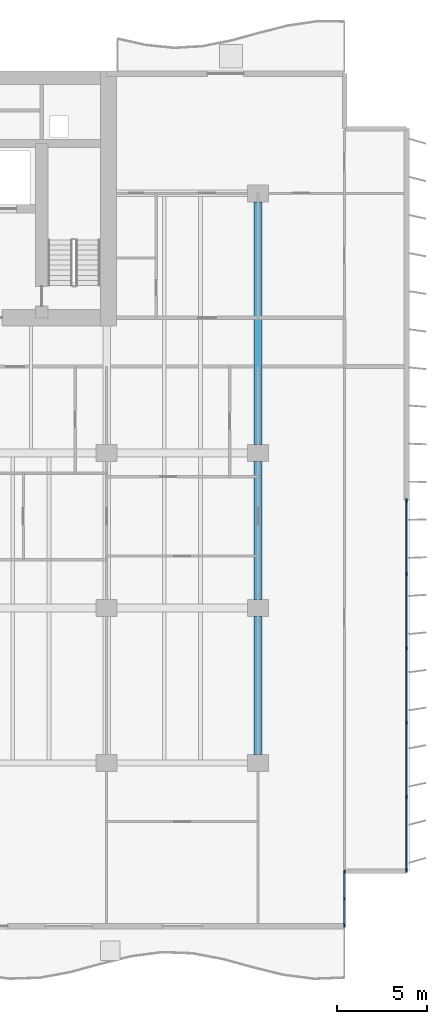
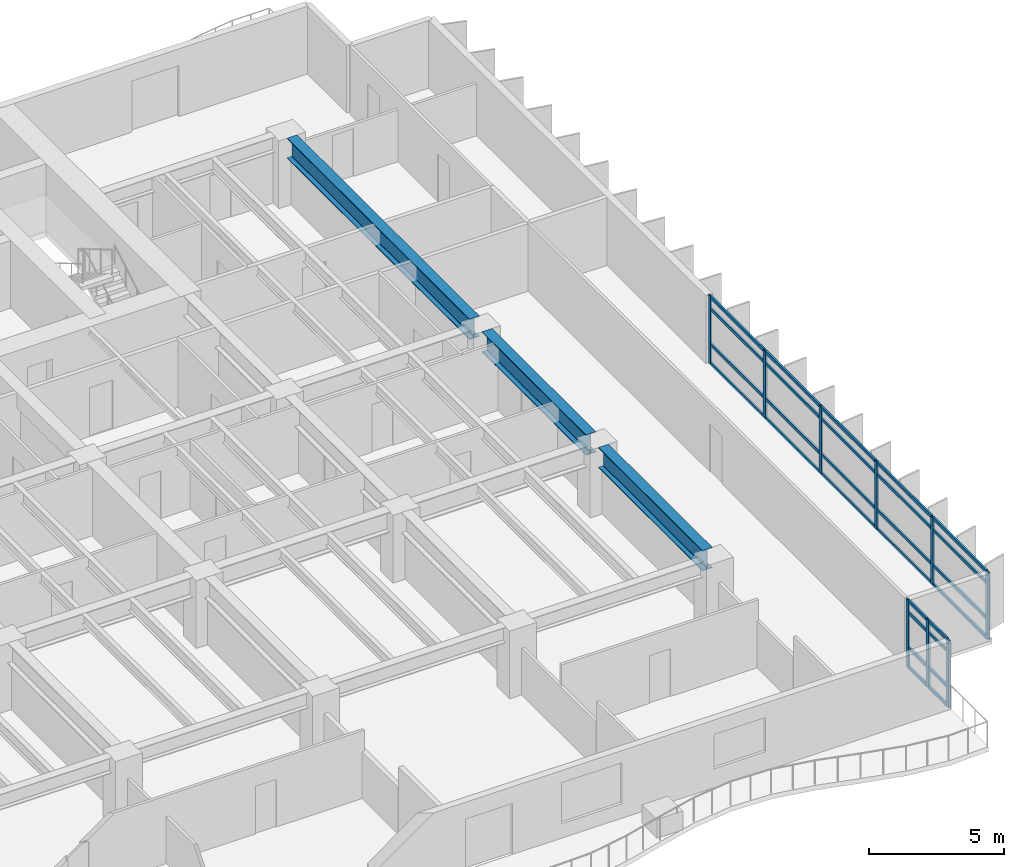
# One storey, part 4 of 16: 37 members, 3 beams, 2 elements without a shape of their own.
"""IFC4 building model written with IfcOpenShell, lengths in metres."""

from ifc_helpers import new_model, si_unit, direction, frame, origin, origin_2d, place, context, subcontext, project, spatial, rectangle, i_section, extrude, material, layer, layer_set, material_profile, profile_set, type_object, element, aggregate, save


model = new_model("IFC4")

# Units and contexts
model_context = context("Model", 3, precision=1e-05, world=origin(), true_north=direction((0.0, 1.0)))
body_context = subcontext(model_context, "Body", "Model", "MODEL_VIEW")
ifc_project = project(units=[si_unit("LENGTHUNIT", "METRE"), si_unit("AREAUNIT", "SQUARE_METRE"), si_unit("VOLUMEUNIT", "CUBIC_METRE"), si_unit("PLANEANGLEUNIT", "RADIAN"), si_unit("MASSUNIT", "GRAM", prefix="KILO")], contexts=[model_context])

# Site, building, storey
site_placement = place(None, origin())
site = spatial("IfcSite", under=ifc_project, at=site_placement, CompositionType="ELEMENT")
building_placement = place(site_placement, origin())
building = spatial("IfcBuilding", under=site, at=building_placement, Name="Caelmar Bay Residences", CompositionType="ELEMENT")
storey_placement = place(building_placement, frame((0.0, 0.0, 72.89990234375)))
storey = spatial("IfcBuildingStorey", under=building, at=storey_placement, Name="L19", CompositionType="ELEMENT", Elevation=72.89990234375)

# Beams
ifc_material_1 = material(Name="Steel ASTM A992 Grade 50", Category="steel")
ifc_material_profile_1 = material_profile(ifc_material_1, i_section(OverallWidth=0.422119140625, OverallDepth=0.925048828125, WebThickness=0.021240234375, FlangeThickness=0.03662109375, FilletRadius=0.020263671875, at=origin_2d()), Name="W36X262")
ifc_profile_set_1 = profile_set([ifc_material_profile_1], Name="Steel ASTM A992 Grade 50")
beam_type = type_object("IfcBeamType", Name="BM-GRD-W36X262", PredefinedType="BEAM", material=ifc_profile_set_1)
beam_1_placement = place(storey_placement, frame((67.89990234375, 12.6650390625, 2.587646484375), z_axis=(0.0, 1.0, 0.0), x_axis=(-1.0, 0.0, 0.0)))
element("IfcBeam", 1, at=beam_1_placement, inside=storey, type_object=beam_type, Name="L19 North-South Girder X=67.90 (12.2-20.8)", PredefinedType="BEAM", context=body_context, shape_type="SweptSolid", body=[
    extrude(i_section(OverallWidth=0.422119140625, OverallDepth=0.925048828125, WebThickness=0.021240234375, FlangeThickness=0.03662109375, FilletRadius=0.020263671875, at=origin_2d()), origin(), (0.0, 0.0, 1.0), 7.669921875),
])
beam_2_placement = place(storey_placement, frame((67.89990234375, 21.264892578125, 2.587646484375), z_axis=(0.0, 1.0, 0.0), x_axis=(-1.0, 0.0, 0.0)))
element("IfcBeam", 2, at=beam_2_placement, inside=storey, type_object=beam_type, Name="L19 North-South Girder X=67.90 (20.8-29.4)", PredefinedType="BEAM", context=body_context, shape_type="SweptSolid", body=[
    extrude(i_section(OverallWidth=0.422119140625, OverallDepth=0.925048828125, WebThickness=0.021240234375, FlangeThickness=0.03662109375, FilletRadius=0.020263671875, at=origin_2d()), origin(), (0.0, 0.0, 1.0), 7.670166015625),
])
beam_3_placement = place(storey_placement, frame((67.89990234375, 29.864990234375, 2.587646484375), z_axis=(0.0, 1.0, 0.0), x_axis=(-1.0, 0.0, 0.0)))
element("IfcBeam", 3, at=beam_3_placement, inside=storey, type_object=beam_type, Name="L19 North-South Girder X=67.90 (29.4-43.8)", PredefinedType="BEAM", context=body_context, shape_type="SweptSolid", body=[
    extrude(i_section(OverallWidth=0.422119140625, OverallDepth=0.925048828125, WebThickness=0.021240234375, FlangeThickness=0.03662109375, FilletRadius=0.020263671875, at=origin_2d()), origin(), (0.0, 0.0, 1.0), 13.469970703125),
])

# Curtain wall, members
ifc_material_2 = material(Name="Anodised bronze aluminium 6063-T6 and laminated glass", Category="aluminium")
ifc_layer_1 = layer(ifc_material_2, 0.179931640625)
ifc_layer_set_1 = layer_set([ifc_layer_1], Name="Anodised bronze aluminium 6063-T6 and laminated glass")
curtain_wall_type_1 = type_object("IfcCurtainWallType", Name="CW6-NTC", PredefinedType="NOTDEFINED", material=ifc_layer_set_1)
curtain_wall_1_placement = place(storey_placement, origin())
curtain_wall_1 = element("IfcCurtainWall", 4, at=curtain_wall_1_placement, inside=storey, type_object=curtain_wall_type_1, Name="CW6 curtain wall L19", PredefinedType="NOTDEFINED")
ifc_material_3 = material(Name="Anodised bronze aluminium 6063-T6", Category="aluminium")
ifc_material_profile_2 = material_profile(ifc_material_3, rectangle(XDim=0.080078125, YDim=0.179931640625, at=origin_2d()), Name="CWM-80X180")
ifc_profile_set_2 = profile_set([ifc_material_profile_2], Name="Anodised bronze aluminium 6063-T6")
member_type_1 = type_object("IfcMemberType", Name="CWM-180", PredefinedType="MULLION", material=ifc_profile_set_2)
member_1_placement = place(storey_placement, frame((72.699951171875, 3.18994140625, 0.0), z_axis=(0.0, 0.0, 1.0), x_axis=(-1.0, 0.0, 0.0)))
member_1 = element("IfcMember", 5, at=member_1_placement, type_object=member_type_1, Name="CW6 mullion 1", PredefinedType="MULLION", context=body_context, shape_type="SweptSolid", body=[
    extrude(rectangle(XDim=0.080078125, YDim=0.179931640625, at=origin_2d()), origin(), (0.0, 0.0, 1.0), 3.050048828125),
])
member_2_placement = place(storey_placement, frame((72.699951171875, 4.675048828125, 0.0), z_axis=(0.0, 0.0, 1.0), x_axis=(-1.0, 0.0, 0.0)))
member_2 = element("IfcMember", 6, at=member_2_placement, type_object=member_type_1, Name="CW6 mullion 2", PredefinedType="MULLION", context=body_context, shape_type="SweptSolid", body=[
    extrude(rectangle(XDim=0.080078125, YDim=0.179931640625, at=origin_2d()), origin(), (0.0, 0.0, 1.0), 3.050048828125),
])
member_3_placement = place(storey_placement, frame((72.699951171875, 6.159912109375, 0.0), z_axis=(0.0, 0.0, 1.0), x_axis=(-1.0, 0.0, 0.0)))
member_3 = element("IfcMember", 7, at=member_3_placement, type_object=member_type_1, Name="CW6 mullion 3", PredefinedType="MULLION", context=body_context, shape_type="SweptSolid", body=[
    extrude(rectangle(XDim=0.080078125, YDim=0.179931640625, at=origin_2d()), origin(), (0.0, 0.0, 1.0), 3.050048828125),
])

ifc_layer_2 = layer(ifc_material_2, 0.179931640625)
ifc_layer_set_2 = layer_set([ifc_layer_2], Name="Anodised bronze aluminium 6063-T6 and laminated glass")
curtain_wall_type_2 = type_object("IfcCurtainWallType", Name="CW2-Z1", PredefinedType="NOTDEFINED", material=ifc_layer_set_2)
curtain_wall_2_placement = place(storey_placement, origin())
curtain_wall_2 = element("IfcCurtainWall", 8, at=curtain_wall_2_placement, inside=storey, type_object=curtain_wall_type_2, Name="CW2 curtain wall L19", PredefinedType="NOTDEFINED")
member_4_placement = place(storey_placement, frame((76.14990234375, 26.760009765625, 0.0), z_axis=(0.0, 0.0, 1.0), x_axis=(1.0, 0.0, 0.0)))
member_4 = element("IfcMember", 9, at=member_4_placement, type_object=member_type_1, Name="CW2 mullion 1", PredefinedType="MULLION", context=body_context, shape_type="SweptSolid", body=[
    extrude(rectangle(XDim=0.080078125, YDim=0.179931640625, at=origin_2d()), origin(), (0.0, 0.0, 1.0), 3.050048828125),
])
member_5_placement = place(storey_placement, frame((76.14990234375, 22.679931640625, 0.0), z_axis=(0.0, 0.0, 1.0), x_axis=(1.0, 0.0, 0.0)))
member_5 = element("IfcMember", 10, at=member_5_placement, type_object=member_type_1, Name="CW2 mullion 2", PredefinedType="MULLION", context=body_context, shape_type="SweptSolid", body=[
    extrude(rectangle(XDim=0.080078125, YDim=0.179931640625, at=origin_2d()), origin(), (0.0, 0.0, 1.0), 3.050048828125),
])
member_6_placement = place(storey_placement, frame((76.14990234375, 18.56005859375, 0.0), z_axis=(0.0, 0.0, 1.0), x_axis=(1.0, 0.0, 0.0)))
member_6 = element("IfcMember", 11, at=member_6_placement, type_object=member_type_1, Name="CW2 mullion 3", PredefinedType="MULLION", context=body_context, shape_type="SweptSolid", body=[
    extrude(rectangle(XDim=0.080078125, YDim=0.179931640625, at=origin_2d()), origin(), (0.0, 0.0, 1.0), 3.050048828125),
])
member_7_placement = place(storey_placement, frame((76.14990234375, 14.43994140625, 0.0), z_axis=(0.0, 0.0, 1.0), x_axis=(1.0, 0.0, 0.0)))
member_7 = element("IfcMember", 12, at=member_7_placement, type_object=member_type_1, Name="CW2 mullion 4", PredefinedType="MULLION", context=body_context, shape_type="SweptSolid", body=[
    extrude(rectangle(XDim=0.080078125, YDim=0.179931640625, at=origin_2d()), origin(), (0.0, 0.0, 1.0), 3.050048828125),
])
member_8_placement = place(storey_placement, frame((76.14990234375, 10.320068359375, 0.0), z_axis=(0.0, 0.0, 1.0), x_axis=(1.0, 0.0, 0.0)))
member_8 = element("IfcMember", 13, at=member_8_placement, type_object=member_type_1, Name="CW2 mullion 5", PredefinedType="MULLION", context=body_context, shape_type="SweptSolid", body=[
    extrude(rectangle(XDim=0.080078125, YDim=0.179931640625, at=origin_2d()), origin(), (0.0, 0.0, 1.0), 3.050048828125),
])
member_9_placement = place(storey_placement, frame((76.14990234375, 6.239990234375, 0.0), z_axis=(0.0, 0.0, 1.0), x_axis=(1.0, 0.0, 0.0)))
member_9 = element("IfcMember", 14, at=member_9_placement, type_object=member_type_1, Name="CW2 mullion 6", PredefinedType="MULLION", context=body_context, shape_type="SweptSolid", body=[
    extrude(rectangle(XDim=0.080078125, YDim=0.179931640625, at=origin_2d()), origin(), (0.0, 0.0, 1.0), 3.050048828125),
])

# Member
ifc_material_profile_3 = material_profile(ifc_material_3, rectangle(XDim=0.080078125, YDim=0.139892578125, at=origin_2d()), Name="CWT-80X140")
ifc_profile_set_3 = profile_set([ifc_material_profile_3], Name="Anodised bronze aluminium 6063-T6")
member_type_2 = type_object("IfcMemberType", Name="CWT-140", PredefinedType="NOTDEFINED", material=ifc_profile_set_3)
member_10_placement = place(storey_placement, frame((72.699951171875, 3.22998046875, 0.0400390625), z_axis=(0.0, 1.0, 0.0), x_axis=(-1.0, 0.0, 0.0)))
member_10 = element("IfcMember", 15, at=member_10_placement, type_object=member_type_2, Name="CW6 transom 1.1", ObjectType="TRANSOM", PredefinedType="USERDEFINED", context=body_context, shape_type="SweptSolid", body=[
    extrude(rectangle(XDim=0.080078125, YDim=0.139892578125, at=origin_2d()), origin(), (0.0, 0.0, 1.0), 1.405029296875),
])

member_11_placement = place(storey_placement, frame((72.699951171875, 3.22998046875, 0.900146484375), z_axis=(0.0, 1.0, 0.0), x_axis=(-1.0, 0.0, 0.0)))
member_11 = element("IfcMember", 16, at=member_11_placement, type_object=member_type_2, Name="CW6 transom 1.2", ObjectType="TRANSOM", PredefinedType="USERDEFINED", context=body_context, shape_type="SweptSolid", body=[
    extrude(rectangle(XDim=0.080078125, YDim=0.139892578125, at=origin_2d()), origin(), (0.0, 0.0, 1.0), 1.405029296875),
])

member_12_placement = place(storey_placement, frame((72.699951171875, 3.22998046875, 2.5), z_axis=(0.0, 1.0, 0.0), x_axis=(-1.0, 0.0, 0.0)))
member_12 = element("IfcMember", 17, at=member_12_placement, type_object=member_type_2, Name="CW6 transom 1.3", ObjectType="TRANSOM", PredefinedType="USERDEFINED", context=body_context, shape_type="SweptSolid", body=[
    extrude(rectangle(XDim=0.080078125, YDim=0.139892578125, at=origin_2d()), origin(), (0.0, 0.0, 1.0), 1.405029296875),
])

member_13_placement = place(storey_placement, frame((72.699951171875, 3.22998046875, 3.010009765625), z_axis=(0.0, 1.0, 0.0), x_axis=(-1.0, 0.0, 0.0)))
member_13 = element("IfcMember", 18, at=member_13_placement, type_object=member_type_2, Name="CW6 transom 1.4", ObjectType="TRANSOM", PredefinedType="USERDEFINED", context=body_context, shape_type="SweptSolid", body=[
    extrude(rectangle(XDim=0.080078125, YDim=0.139892578125, at=origin_2d()), origin(), (0.0, 0.0, 1.0), 1.405029296875),
])

member_14_placement = place(storey_placement, frame((72.699951171875, 4.715087890625, 0.0400390625), z_axis=(0.0, 1.0, 0.0), x_axis=(-1.0, 0.0, 0.0)))
member_14 = element("IfcMember", 19, at=member_14_placement, type_object=member_type_2, Name="CW6 transom 2.1", ObjectType="TRANSOM", PredefinedType="USERDEFINED", context=body_context, shape_type="SweptSolid", body=[
    extrude(rectangle(XDim=0.080078125, YDim=0.139892578125, at=origin_2d()), origin(), (0.0, 0.0, 1.0), 1.405029296875),
])

member_15_placement = place(storey_placement, frame((72.699951171875, 4.715087890625, 0.900146484375), z_axis=(0.0, 1.0, 0.0), x_axis=(-1.0, 0.0, 0.0)))
member_15 = element("IfcMember", 20, at=member_15_placement, type_object=member_type_2, Name="CW6 transom 2.2", ObjectType="TRANSOM", PredefinedType="USERDEFINED", context=body_context, shape_type="SweptSolid", body=[
    extrude(rectangle(XDim=0.080078125, YDim=0.139892578125, at=origin_2d()), origin(), (0.0, 0.0, 1.0), 1.405029296875),
])

member_16_placement = place(storey_placement, frame((72.699951171875, 4.715087890625, 2.5), z_axis=(0.0, 1.0, 0.0), x_axis=(-1.0, 0.0, 0.0)))
member_16 = element("IfcMember", 21, at=member_16_placement, type_object=member_type_2, Name="CW6 transom 2.3", ObjectType="TRANSOM", PredefinedType="USERDEFINED", context=body_context, shape_type="SweptSolid", body=[
    extrude(rectangle(XDim=0.080078125, YDim=0.139892578125, at=origin_2d()), origin(), (0.0, 0.0, 1.0), 1.405029296875),
])

member_17_placement = place(storey_placement, frame((72.699951171875, 4.715087890625, 3.010009765625), z_axis=(0.0, 1.0, 0.0), x_axis=(-1.0, 0.0, 0.0)))
member_17 = element("IfcMember", 22, at=member_17_placement, type_object=member_type_2, Name="CW6 transom 2.4", ObjectType="TRANSOM", PredefinedType="USERDEFINED", context=body_context, shape_type="SweptSolid", body=[
    extrude(rectangle(XDim=0.080078125, YDim=0.139892578125, at=origin_2d()), origin(), (0.0, 0.0, 1.0), 1.405029296875),
])

aggregate(curtain_wall_1, [member_1, member_2, member_3, member_10, member_11, member_12, member_13, member_14, member_15, member_16, member_17])

member_18_placement = place(storey_placement, frame((76.14990234375, 26.719970703125, 0.0400390625), z_axis=(0.0, -1.0, 0.0), x_axis=(1.0, 0.0, 0.0)))
member_18 = element("IfcMember", 23, at=member_18_placement, type_object=member_type_2, Name="CW2 transom 1.1", ObjectType="TRANSOM", PredefinedType="USERDEFINED", context=body_context, shape_type="SweptSolid", body=[
    extrude(rectangle(XDim=0.080078125, YDim=0.139892578125, at=origin_2d()), origin(), (0.0, 0.0, 1.0), 4.0),
])

member_19_placement = place(storey_placement, frame((76.14990234375, 26.719970703125, 0.900146484375), z_axis=(0.0, -1.0, 0.0), x_axis=(1.0, 0.0, 0.0)))
member_19 = element("IfcMember", 24, at=member_19_placement, type_object=member_type_2, Name="CW2 transom 1.2", ObjectType="TRANSOM", PredefinedType="USERDEFINED", context=body_context, shape_type="SweptSolid", body=[
    extrude(rectangle(XDim=0.080078125, YDim=0.139892578125, at=origin_2d()), origin(), (0.0, 0.0, 1.0), 4.0),
])

member_20_placement = place(storey_placement, frame((76.14990234375, 26.719970703125, 2.5), z_axis=(0.0, -1.0, 0.0), x_axis=(1.0, 0.0, 0.0)))
member_20 = element("IfcMember", 25, at=member_20_placement, type_object=member_type_2, Name="CW2 transom 1.3", ObjectType="TRANSOM", PredefinedType="USERDEFINED", context=body_context, shape_type="SweptSolid", body=[
    extrude(rectangle(XDim=0.080078125, YDim=0.139892578125, at=origin_2d()), origin(), (0.0, 0.0, 1.0), 4.0),
])

member_21_placement = place(storey_placement, frame((76.14990234375, 26.719970703125, 3.010009765625), z_axis=(0.0, -1.0, 0.0), x_axis=(1.0, 0.0, 0.0)))
member_21 = element("IfcMember", 26, at=member_21_placement, type_object=member_type_2, Name="CW2 transom 1.4", ObjectType="TRANSOM", PredefinedType="USERDEFINED", context=body_context, shape_type="SweptSolid", body=[
    extrude(rectangle(XDim=0.080078125, YDim=0.139892578125, at=origin_2d()), origin(), (0.0, 0.0, 1.0), 4.0),
])

member_22_placement = place(storey_placement, frame((76.14990234375, 22.639892578125, 0.0400390625), z_axis=(0.0, -1.0, 0.0), x_axis=(1.0, 0.0, 0.0)))
member_22 = element("IfcMember", 27, at=member_22_placement, type_object=member_type_2, Name="CW2 transom 2.1", ObjectType="TRANSOM", PredefinedType="USERDEFINED", context=body_context, shape_type="SweptSolid", body=[
    extrude(rectangle(XDim=0.080078125, YDim=0.139892578125, at=origin_2d()), origin(), (0.0, 0.0, 1.0), 4.039794921875),
])

member_23_placement = place(storey_placement, frame((76.14990234375, 22.639892578125, 0.900146484375), z_axis=(0.0, -1.0, 0.0), x_axis=(1.0, 0.0, 0.0)))
member_23 = element("IfcMember", 28, at=member_23_placement, type_object=member_type_2, Name="CW2 transom 2.2", ObjectType="TRANSOM", PredefinedType="USERDEFINED", context=body_context, shape_type="SweptSolid", body=[
    extrude(rectangle(XDim=0.080078125, YDim=0.139892578125, at=origin_2d()), origin(), (0.0, 0.0, 1.0), 4.039794921875),
])

member_24_placement = place(storey_placement, frame((76.14990234375, 22.639892578125, 2.5), z_axis=(0.0, -1.0, 0.0), x_axis=(1.0, 0.0, 0.0)))
member_24 = element("IfcMember", 29, at=member_24_placement, type_object=member_type_2, Name="CW2 transom 2.3", ObjectType="TRANSOM", PredefinedType="USERDEFINED", context=body_context, shape_type="SweptSolid", body=[
    extrude(rectangle(XDim=0.080078125, YDim=0.139892578125, at=origin_2d()), origin(), (0.0, 0.0, 1.0), 4.039794921875),
])

member_25_placement = place(storey_placement, frame((76.14990234375, 22.639892578125, 3.010009765625), z_axis=(0.0, -1.0, 0.0), x_axis=(1.0, 0.0, 0.0)))
member_25 = element("IfcMember", 30, at=member_25_placement, type_object=member_type_2, Name="CW2 transom 2.4", ObjectType="TRANSOM", PredefinedType="USERDEFINED", context=body_context, shape_type="SweptSolid", body=[
    extrude(rectangle(XDim=0.080078125, YDim=0.139892578125, at=origin_2d()), origin(), (0.0, 0.0, 1.0), 4.039794921875),
])

member_26_placement = place(storey_placement, frame((76.14990234375, 18.52001953125, 0.0400390625), z_axis=(0.0, -1.0, 0.0), x_axis=(1.0, 0.0, 0.0)))
member_26 = element("IfcMember", 31, at=member_26_placement, type_object=member_type_2, Name="CW2 transom 3.1", ObjectType="TRANSOM", PredefinedType="USERDEFINED", context=body_context, shape_type="SweptSolid", body=[
    extrude(rectangle(XDim=0.080078125, YDim=0.139892578125, at=origin_2d()), origin(), (0.0, 0.0, 1.0), 4.0400390625),
])

member_27_placement = place(storey_placement, frame((76.14990234375, 18.52001953125, 0.900146484375), z_axis=(0.0, -1.0, 0.0), x_axis=(1.0, 0.0, 0.0)))
member_27 = element("IfcMember", 32, at=member_27_placement, type_object=member_type_2, Name="CW2 transom 3.2", ObjectType="TRANSOM", PredefinedType="USERDEFINED", context=body_context, shape_type="SweptSolid", body=[
    extrude(rectangle(XDim=0.080078125, YDim=0.139892578125, at=origin_2d()), origin(), (0.0, 0.0, 1.0), 4.0400390625),
])

member_28_placement = place(storey_placement, frame((76.14990234375, 18.52001953125, 2.5), z_axis=(0.0, -1.0, 0.0), x_axis=(1.0, 0.0, 0.0)))
member_28 = element("IfcMember", 33, at=member_28_placement, type_object=member_type_2, Name="CW2 transom 3.3", ObjectType="TRANSOM", PredefinedType="USERDEFINED", context=body_context, shape_type="SweptSolid", body=[
    extrude(rectangle(XDim=0.080078125, YDim=0.139892578125, at=origin_2d()), origin(), (0.0, 0.0, 1.0), 4.0400390625),
])

member_29_placement = place(storey_placement, frame((76.14990234375, 18.52001953125, 3.010009765625), z_axis=(0.0, -1.0, 0.0), x_axis=(1.0, 0.0, 0.0)))
member_29 = element("IfcMember", 34, at=member_29_placement, type_object=member_type_2, Name="CW2 transom 3.4", ObjectType="TRANSOM", PredefinedType="USERDEFINED", context=body_context, shape_type="SweptSolid", body=[
    extrude(rectangle(XDim=0.080078125, YDim=0.139892578125, at=origin_2d()), origin(), (0.0, 0.0, 1.0), 4.0400390625),
])

member_30_placement = place(storey_placement, frame((76.14990234375, 14.39990234375, 0.0400390625), z_axis=(0.0, -1.0, 0.0), x_axis=(1.0, 0.0, 0.0)))
member_30 = element("IfcMember", 35, at=member_30_placement, type_object=member_type_2, Name="CW2 transom 4.1", ObjectType="TRANSOM", PredefinedType="USERDEFINED", context=body_context, shape_type="SweptSolid", body=[
    extrude(rectangle(XDim=0.080078125, YDim=0.139892578125, at=origin_2d()), origin(), (0.0, 0.0, 1.0), 4.039794921875),
])

member_31_placement = place(storey_placement, frame((76.14990234375, 14.39990234375, 0.900146484375), z_axis=(0.0, -1.0, 0.0), x_axis=(1.0, 0.0, 0.0)))
member_31 = element("IfcMember", 36, at=member_31_placement, type_object=member_type_2, Name="CW2 transom 4.2", ObjectType="TRANSOM", PredefinedType="USERDEFINED", context=body_context, shape_type="SweptSolid", body=[
    extrude(rectangle(XDim=0.080078125, YDim=0.139892578125, at=origin_2d()), origin(), (0.0, 0.0, 1.0), 4.039794921875),
])

member_32_placement = place(storey_placement, frame((76.14990234375, 14.39990234375, 2.5), z_axis=(0.0, -1.0, 0.0), x_axis=(1.0, 0.0, 0.0)))
member_32 = element("IfcMember", 37, at=member_32_placement, type_object=member_type_2, Name="CW2 transom 4.3", ObjectType="TRANSOM", PredefinedType="USERDEFINED", context=body_context, shape_type="SweptSolid", body=[
    extrude(rectangle(XDim=0.080078125, YDim=0.139892578125, at=origin_2d()), origin(), (0.0, 0.0, 1.0), 4.039794921875),
])

member_33_placement = place(storey_placement, frame((76.14990234375, 14.39990234375, 3.010009765625), z_axis=(0.0, -1.0, 0.0), x_axis=(1.0, 0.0, 0.0)))
member_33 = element("IfcMember", 38, at=member_33_placement, type_object=member_type_2, Name="CW2 transom 4.4", ObjectType="TRANSOM", PredefinedType="USERDEFINED", context=body_context, shape_type="SweptSolid", body=[
    extrude(rectangle(XDim=0.080078125, YDim=0.139892578125, at=origin_2d()), origin(), (0.0, 0.0, 1.0), 4.039794921875),
])

member_34_placement = place(storey_placement, frame((76.14990234375, 10.280029296875, 0.0400390625), z_axis=(0.0, -1.0, 0.0), x_axis=(1.0, 0.0, 0.0)))
member_34 = element("IfcMember", 39, at=member_34_placement, type_object=member_type_2, Name="CW2 transom 5.1", ObjectType="TRANSOM", PredefinedType="USERDEFINED", context=body_context, shape_type="SweptSolid", body=[
    extrude(rectangle(XDim=0.080078125, YDim=0.139892578125, at=origin_2d()), origin(), (0.0, 0.0, 1.0), 4.0),
])

member_35_placement = place(storey_placement, frame((76.14990234375, 10.280029296875, 0.900146484375), z_axis=(0.0, -1.0, 0.0), x_axis=(1.0, 0.0, 0.0)))
member_35 = element("IfcMember", 40, at=member_35_placement, type_object=member_type_2, Name="CW2 transom 5.2", ObjectType="TRANSOM", PredefinedType="USERDEFINED", context=body_context, shape_type="SweptSolid", body=[
    extrude(rectangle(XDim=0.080078125, YDim=0.139892578125, at=origin_2d()), origin(), (0.0, 0.0, 1.0), 4.0),
])

member_36_placement = place(storey_placement, frame((76.14990234375, 10.280029296875, 2.5), z_axis=(0.0, -1.0, 0.0), x_axis=(1.0, 0.0, 0.0)))
member_36 = element("IfcMember", 41, at=member_36_placement, type_object=member_type_2, Name="CW2 transom 5.3", ObjectType="TRANSOM", PredefinedType="USERDEFINED", context=body_context, shape_type="SweptSolid", body=[
    extrude(rectangle(XDim=0.080078125, YDim=0.139892578125, at=origin_2d()), origin(), (0.0, 0.0, 1.0), 4.0),
])

member_37_placement = place(storey_placement, frame((76.14990234375, 10.280029296875, 3.010009765625), z_axis=(0.0, -1.0, 0.0), x_axis=(1.0, 0.0, 0.0)))
member_37 = element("IfcMember", 42, at=member_37_placement, type_object=member_type_2, Name="CW2 transom 5.4", ObjectType="TRANSOM", PredefinedType="USERDEFINED", context=body_context, shape_type="SweptSolid", body=[
    extrude(rectangle(XDim=0.080078125, YDim=0.139892578125, at=origin_2d()), origin(), (0.0, 0.0, 1.0), 4.0),
])

aggregate(curtain_wall_2, [member_4, member_5, member_6, member_7, member_8, member_9, member_18, member_19, member_20, member_21, member_22, member_23, member_24, member_25, member_26, member_27, member_28, member_29, member_30, member_31, member_32, member_33, member_34, member_35, member_36, member_37])

save(model, "model.ifc")
